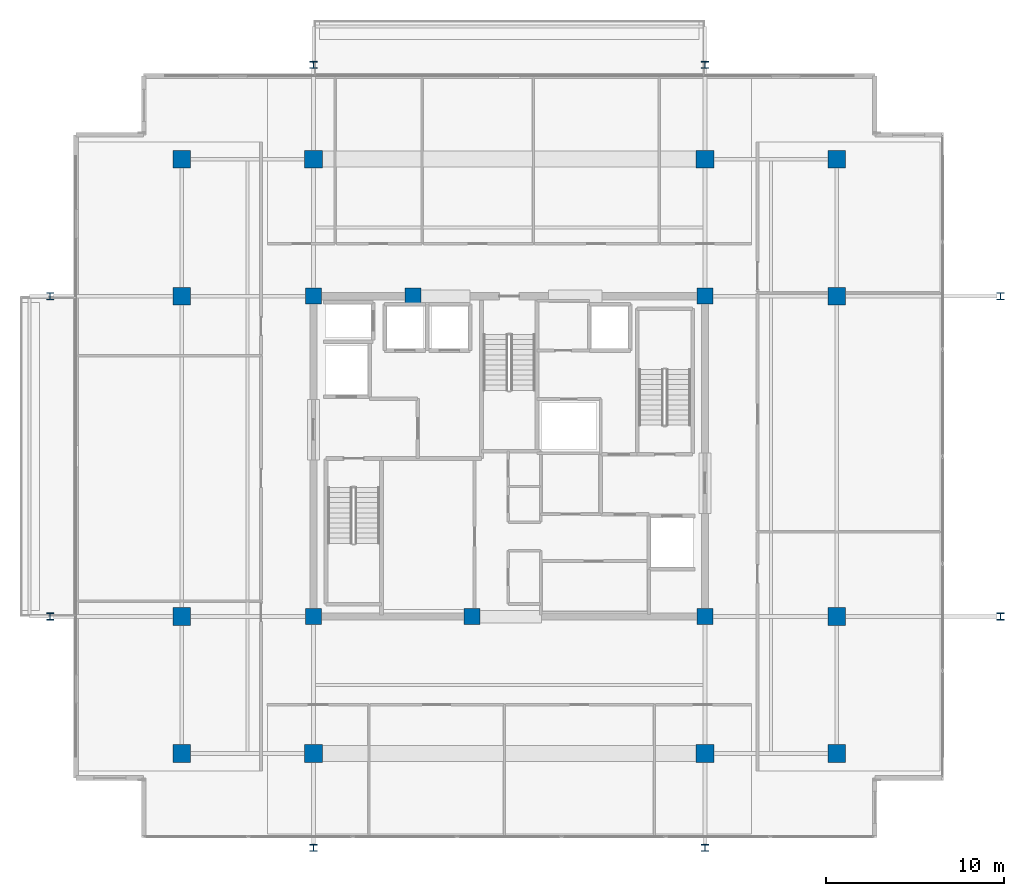
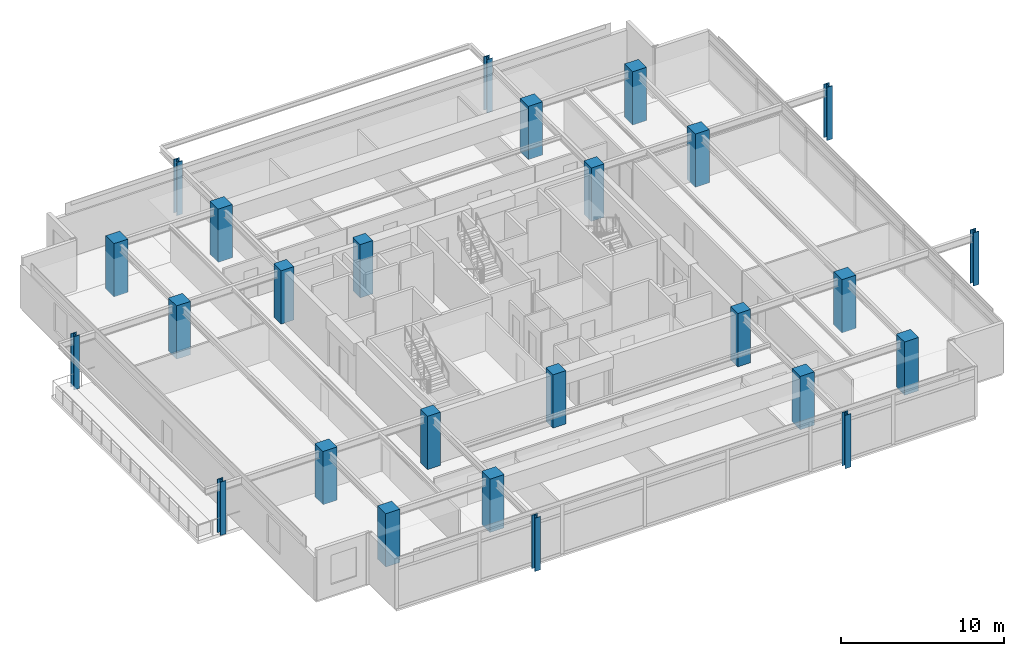
# One storey, part 1 of 20: 26 columns.
"""IFC4 building model written with IfcOpenShell, lengths in metres."""

from ifc_helpers import new_model, si_unit, direction, frame, origin, origin_2d, place, context, subcontext, project, spatial, rectangle, i_section, extrude, material, material_profile, profile_set, type_object, element, save


model = new_model("IFC4")

# Units and contexts
model_context = context("Model", 3, precision=1e-05, world=origin(), true_north=direction((0.0, 1.0)))
body_context = subcontext(model_context, "Body", "Model", "MODEL_VIEW")
ifc_project = project(units=[si_unit("LENGTHUNIT", "METRE"), si_unit("AREAUNIT", "SQUARE_METRE"), si_unit("VOLUMEUNIT", "CUBIC_METRE"), si_unit("PLANEANGLEUNIT", "RADIAN"), si_unit("MASSUNIT", "GRAM", prefix="KILO")], contexts=[model_context])

# Site, building, storey
site_placement = place(None, origin())
site = spatial("IfcSite", under=ifc_project, at=site_placement, CompositionType="ELEMENT")
building_placement = place(site_placement, origin())
building = spatial("IfcBuilding", under=site, at=building_placement, Name="Kovane Verandah Tower", CompositionType="ELEMENT")
storey_placement = place(building_placement, frame((0.0, 0.0, 334.800048828125)))
storey = spatial("IfcBuildingStorey", under=building, at=storey_placement, Name="L78", CompositionType="ELEMENT", Elevation=334.800048828125)

# Columns
ifc_material_1 = material(Name="Concrete C60/75", Category="concrete")
ifc_material_profile_1 = material_profile(ifc_material_1, rectangle(XDim=1.0, YDim=1.0, at=origin_2d()), Name="RC1000x1000")
ifc_profile_set_1 = profile_set([ifc_material_profile_1], Name="Concrete C60/75")
column_type_1 = type_object("IfcColumnType", Name="COL-RC1000", PredefinedType="COLUMN", material=ifc_profile_set_1)
for number, where, z_axis, x_axis, name in (
    (1, (29.0, 10.800048828125, 0.0), (0.0, 0.0, 1.0), (1.0, 0.0, 0.0), "L78 Tower Mega-Column MC-S1"),
    (2, (51.0, 10.800048828125, 0.0), (0.0, 0.0, 1.0), (1.0, 0.0, 0.0), "L78 Tower Mega-Column MC-S2"),
    (3, (29.0, 44.199951171875, 0.0), (0.0, 0.0, 1.0), (1.0, 0.0, 0.0), "L78 Tower Mega-Column MC-N1"),
    (4, (51.0, 44.199951171875, 0.0), (0.0, 0.0, 1.0), (1.0, 0.0, 0.0), "L78 Tower Mega-Column MC-N2"),
    (5, (21.60009765625, 18.5, 0.0), (0.0, 0.0, 1.0), (1.0, 0.0, 0.0), "L78 Tower Mega-Column MC-W1"),
    (6, (21.60009765625, 36.5, 0.0), (0.0, 0.0, 1.0), (1.0, 0.0, 0.0), "L78 Tower Mega-Column MC-W2"),
    (7, (58.39990234375, 18.5, 0.0), (0.0, 0.0, 1.0), (1.0, 0.0, 0.0), "L78 Tower Mega-Column MC-E1"),
    (8, (58.39990234375, 36.5, 0.0), (0.0, 0.0, 1.0), (1.0, 0.0, 0.0), "L78 Tower Mega-Column MC-E2"),
    (9, (21.60009765625, 10.800048828125, 0.0), (0.0, 0.0, 1.0), (1.0, 0.0, 0.0), "L78 Tower Mega-Column MC-SW"),
    (10, (58.39990234375, 10.800048828125, 0.0), (0.0, 0.0, 1.0), (1.0, 0.0, 0.0), "L78 Tower Mega-Column MC-SE"),
    (11, (21.60009765625, 44.199951171875, 0.0), (0.0, 0.0, 1.0), (1.0, 0.0, 0.0), "L78 Tower Mega-Column MC-NW"),
    (12, (58.39990234375, 44.199951171875, 0.0), (0.0, 0.0, 1.0), (1.0, 0.0, 0.0), "L78 Tower Mega-Column MC-NE"),
):
    element("IfcColumn", number, at=place(storey_placement, frame(where, z_axis=z_axis, x_axis=x_axis)), inside=storey, type_object=column_type_1, Name=name, PredefinedType="COLUMN", context=body_context, shape_type="SweptSolid", body=[
        extrude(rectangle(XDim=1.0, YDim=1.0, at=origin_2d()), origin(), (0.0, 0.0, 1.0), 4.0),
    ])
ifc_material_2 = material(Name="Steel S460", Category="steel")
ifc_material_profile_2 = material_profile(ifc_material_2, i_section(OverallWidth=0.403076171875, OverallDepth=0.406494140625, WebThickness=0.026611328125, FlangeThickness=0.04296875, FilletRadius=0.01513671875, at=origin_2d()), Name="UC356x406x340")
ifc_profile_set_2 = profile_set([ifc_material_profile_2], Name="Steel S460")
column_type_2 = type_object("IfcColumnType", Name="COL-UC340", PredefinedType="COLUMN", material=ifc_profile_set_2)
for number, where, z_axis, x_axis, name in (
    (13, (14.199951171875, 18.5, 0.0), (0.0, 0.0, 1.0), (1.0, 0.0, 0.0), "L78 Verandah Perimeter Column VC-W1"),
    (14, (14.199951171875, 36.5, 0.0), (0.0, 0.0, 1.0), (1.0, 0.0, 0.0), "L78 Verandah Perimeter Column VC-W2"),
    (15, (67.60009765625, 18.5, 0.0), (0.0, 0.0, 1.0), (1.0, 0.0, 0.0), "L78 Verandah Perimeter Column VC-E1"),
    (16, (67.60009765625, 36.5, 0.0), (0.0, 0.0, 1.0), (1.0, 0.0, 0.0), "L78 Verandah Perimeter Column VC-E2"),
    (17, (29.0, 5.5, 0.0), (0.0, 0.0, 1.0), (1.0, 0.0, 0.0), "L78 Verandah Perimeter Column VC-S1"),
    (18, (51.0, 5.5, 0.0), (0.0, 0.0, 1.0), (1.0, 0.0, 0.0), "L78 Verandah Perimeter Column VC-S2"),
    (19, (29.0, 49.5, 0.0), (0.0, 0.0, 1.0), (1.0, 0.0, 0.0), "L78 Verandah Perimeter Column VC-N1"),
    (20, (51.0, 49.5, 0.0), (0.0, 0.0, 1.0), (1.0, 0.0, 0.0), "L78 Verandah Perimeter Column VC-N2"),
):
    element("IfcColumn", number, at=place(storey_placement, frame(where, z_axis=z_axis, x_axis=x_axis)), inside=storey, type_object=column_type_2, Name=name, PredefinedType="COLUMN", context=body_context, shape_type="SweptSolid", body=[
        extrude(i_section(OverallWidth=0.403076171875, OverallDepth=0.406494140625, WebThickness=0.026611328125, FlangeThickness=0.04296875, FilletRadius=0.01513671875, at=origin_2d()), origin(), (0.0, 0.0, 1.0), 4.0),
    ])
ifc_material_profile_3 = material_profile(ifc_material_1, rectangle(XDim=0.89990234375, YDim=0.89990234375, at=origin_2d()), Name="RC900x900")
ifc_profile_set_3 = profile_set([ifc_material_profile_3], Name="Concrete C60/75")
column_type_3 = type_object("IfcColumnType", Name="PIL-RC900", PredefinedType="PILASTER", material=ifc_profile_set_3)
for number, where, z_axis, x_axis, name in (
    (21, (29.0, 18.5, 0.0), (0.0, 0.0, 1.0), (1.0, 0.0, 0.0), "L78 Core Pilaster CP-SW"),
    (22, (51.0, 18.5, 0.0), (0.0, 0.0, 1.0), (1.0, 0.0, 0.0), "L78 Core Pilaster CP-SE"),
    (23, (29.0, 36.5, 0.0), (0.0, 0.0, 1.0), (1.0, 0.0, 0.0), "L78 Core Pilaster CP-NW"),
    (24, (51.0, 36.5, 0.0), (0.0, 0.0, 1.0), (1.0, 0.0, 0.0), "L78 Core Pilaster CP-NE"),
    (25, (37.89990234375, 18.5, 0.0), (0.0, 0.0, 1.0), (1.0, 0.0, 0.0), "L78 Core Pilaster CP-S"),
    (26, (34.60009765625, 36.5, 0.0), (0.0, 0.0, 1.0), (1.0, 0.0, 0.0), "L78 Core Pilaster CP-N"),
):
    element("IfcColumn", number, at=place(storey_placement, frame(where, z_axis=z_axis, x_axis=x_axis)), inside=storey, type_object=column_type_3, Name=name, PredefinedType="PILASTER", context=body_context, shape_type="SweptSolid", body=[
        extrude(rectangle(XDim=0.89990234375, YDim=0.89990234375, at=origin_2d()), origin(), (0.0, 0.0, 1.0), 4.0),
    ])

save(model, "model.ifc")
